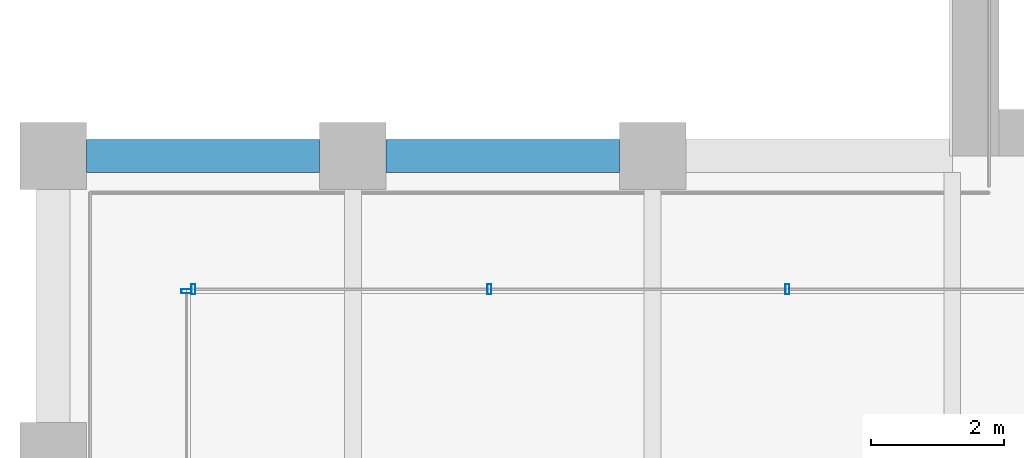
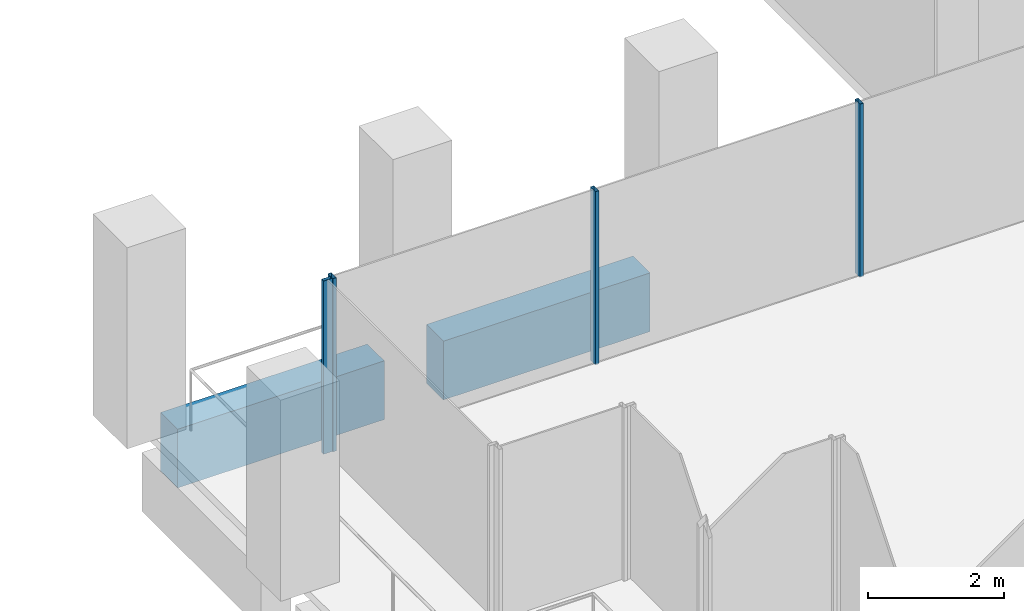
# One storey, part 5 of 46: 4 members, 2 beams, 2 elements without a shape of their own.
"""IFC4 building model written with IfcOpenShell, lengths in metres."""

from ifc_helpers import new_model, si_unit, direction, frame, origin, origin_2d, place, context, subcontext, project, spatial, rectangle, hollow_rectangle, extrude, material, material_profile, profile_set, type_object, element, aggregate, save


model = new_model("IFC4")

# Units and contexts
model_context = context("Model", 3, precision=1e-05, world=origin(), true_north=direction((0.0, 1.0)))
body_context = subcontext(model_context, "Body", "Model", "MODEL_VIEW")
ifc_project = project(units=[si_unit("LENGTHUNIT", "METRE"), si_unit("AREAUNIT", "SQUARE_METRE"), si_unit("VOLUMEUNIT", "CUBIC_METRE"), si_unit("PLANEANGLEUNIT", "RADIAN"), si_unit("MASSUNIT", "GRAM", prefix="KILO")], contexts=[model_context])

# Site, building, storey
site_placement = place(None, origin())
site = spatial("IfcSite", under=ifc_project, at=site_placement, CompositionType="ELEMENT")
building_placement = place(site_placement, origin())
building = spatial("IfcBuilding", under=site, at=building_placement, Name="Altepetl Exchange Towers", CompositionType="ELEMENT")
storey_placement = place(building_placement, frame((0.0, 0.0, 120.800048828125)))
storey = spatial("IfcBuildingStorey", under=building, at=storey_placement, Name="L29", CompositionType="ELEMENT", Elevation=120.800048828125)

# Curtain wall, members
ifc_material_1 = material(Name="Aluminium 6063-T6 glazing", Category="aluminium")
curtain_wall_type = type_object("IfcCurtainWallType", Name="Loggia glazing system", PredefinedType="NOTDEFINED", material=ifc_material_1)
curtain_wall_1_placement = place(storey_placement, origin())
curtain_wall_1 = element("IfcCurtainWall", 1, at=curtain_wall_1_placement, inside=storey, type_object=curtain_wall_type, Name="CW1 run", PredefinedType="NOTDEFINED")
ifc_material_2 = material(Name="Aluminium 6063-T6", Category="aluminium")
ifc_material_profile_1 = material_profile(ifc_material_2, hollow_rectangle(XDim=0.06005859375, YDim=0.14990234375, WallThickness=0.0029296875, at=origin_2d()), Name="Mullion 60x150 aluminium")
ifc_profile_set_1 = profile_set([ifc_material_profile_1], Name="Aluminium 6063-T6")
member_type = type_object("IfcMemberType", Name="Mullion 60x150 aluminium", PredefinedType="MULLION", material=ifc_profile_set_1)
member_1_placement = place(storey_placement, frame((38.02490234375, 38.5, 0.0), z_axis=(0.0, 0.0, 1.0), x_axis=(-1.0, 0.0, 0.0)))
member_1 = element("IfcMember", 2, at=member_1_placement, type_object=member_type, Name="MU1 mullion", PredefinedType="MULLION", context=body_context, shape_type="SweptSolid", body=[
    extrude(hollow_rectangle(XDim=0.06005859375, YDim=0.14990234375, WallThickness=0.0029296875, at=origin_2d()), origin(), (0.0, 0.0, 1.0), 3.099853515625),
])
member_2_placement = place(storey_placement, frame((33.550048828125, 38.5, 0.0), z_axis=(0.0, 0.0, 1.0), x_axis=(-1.0, 0.0, 0.0)))
member_2 = element("IfcMember", 3, at=member_2_placement, type_object=member_type, Name="MU1 mullion", PredefinedType="MULLION", context=body_context, shape_type="SweptSolid", body=[
    extrude(hollow_rectangle(XDim=0.06005859375, YDim=0.14990234375, WallThickness=0.0029296875, at=origin_2d()), origin(), (0.0, 0.0, 1.0), 3.099853515625),
])
member_3_placement = place(storey_placement, frame((29.10498046875, 38.5, 0.0), z_axis=(0.0, 0.0, 1.0), x_axis=(-1.0, 0.0, 0.0)))
member_3 = element("IfcMember", 4, at=member_3_placement, type_object=member_type, Name="MU1 mullion", PredefinedType="MULLION", context=body_context, shape_type="SweptSolid", body=[
    extrude(hollow_rectangle(XDim=0.06005859375, YDim=0.14990234375, WallThickness=0.0029296875, at=origin_2d()), origin(), (0.0, 0.0, 1.0), 3.099853515625),
])
aggregate(curtain_wall_1, [member_1, member_2, member_3])

# Curtain wall, member
curtain_wall_2_placement = place(storey_placement, origin())
curtain_wall_2 = element("IfcCurtainWall", 5, at=curtain_wall_2_placement, inside=storey, type_object=curtain_wall_type, Name="CW1 run", PredefinedType="NOTDEFINED")
member_4_placement = place(storey_placement, frame((29.0, 38.469970703125, 0.0), z_axis=(0.0, 0.0, 1.0), x_axis=(0.0, -1.0, 0.0)))
member_4 = element("IfcMember", 6, at=member_4_placement, type_object=member_type, Name="MU1 mullion", PredefinedType="MULLION", context=body_context, shape_type="SweptSolid", body=[
    extrude(hollow_rectangle(XDim=0.06005859375, YDim=0.14990234375, WallThickness=0.0029296875, at=origin_2d()), origin(), (0.0, 0.0, 1.0), 3.099853515625),
])
aggregate(curtain_wall_2, [member_4])

# Beams
ifc_material_3 = material(Name="Concrete C50/60 precast with tezontle facing", Category="concrete")
ifc_material_profile_2 = material_profile(ifc_material_3, rectangle(XDim=0.5, YDim=1.050048828125, at=origin_2d()), Name="500 x 1050")
ifc_profile_set_2 = profile_set([ifc_material_profile_2], Name="Concrete C50/60 precast with tezontle facing")
beam_type = type_object("IfcBeamType", Name="Spandrel beam 500x1050 tezontle", PredefinedType="SPANDREL", material=ifc_profile_set_2)
for number, where, z_axis, x_axis, name in (
    (7, (35.5, 40.5, -0.675048828125), (-1.0, 0.0, 0.0), (0.0, -1.0, 0.0), "sp:A:L29:034"),
    (8, (31.0, 40.5, -0.675048828125), (-1.0, 0.0, 0.0), (0.0, -1.0, 0.0), "sp:A:L29:035"),
):
    element("IfcBeam", number, at=place(storey_placement, frame(where, z_axis=z_axis, x_axis=x_axis)), inside=storey, type_object=beam_type, Name=name, PredefinedType="SPANDREL", context=body_context, shape_type="SweptSolid", body=[
        extrude(rectangle(XDim=0.5, YDim=1.050048828125, at=origin_2d()), origin(), (0.0, 0.0, 1.0), 3.5),
    ])

save(model, "model.ifc")
